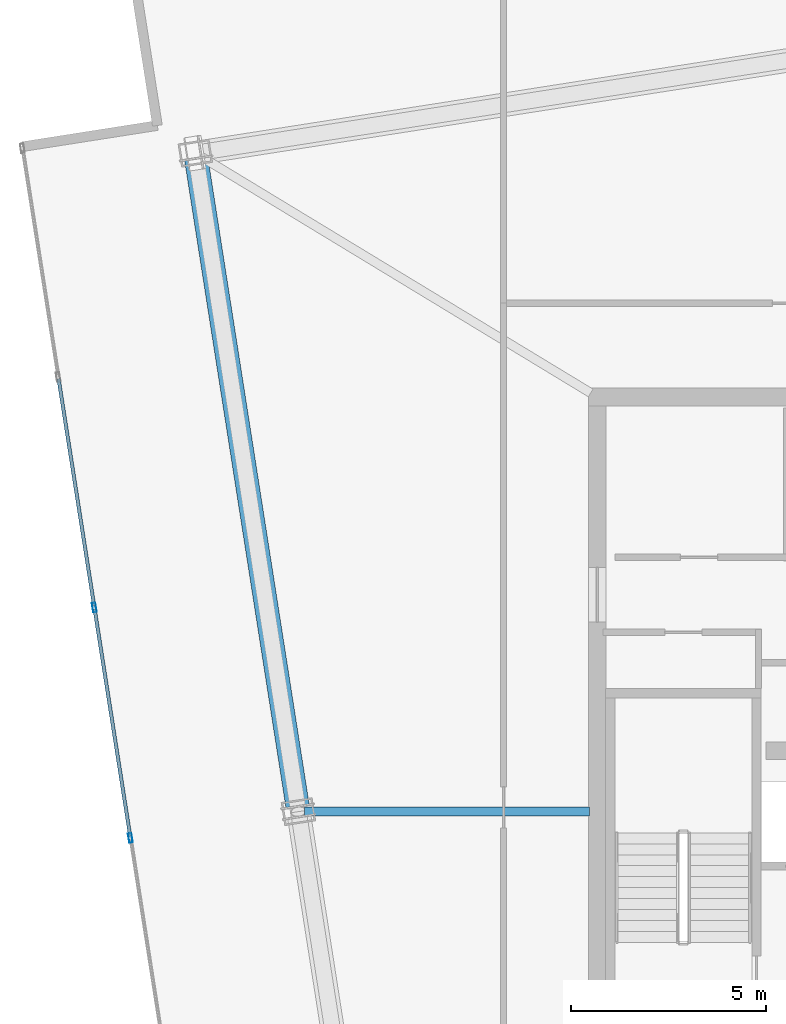
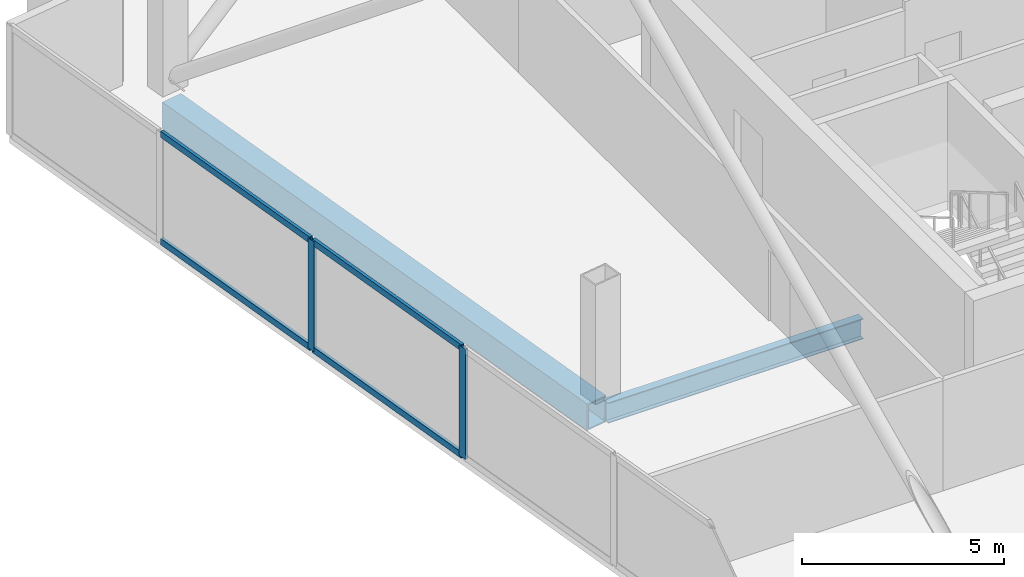
# One storey, part 6 of 21: 6 members, 2 beams, 1 element without a shape of its own.
"""IFC4 building model written with IfcOpenShell, lengths in metres."""

from ifc_helpers import new_model, si_unit, direction, frame, origin, origin_2d, place, context, subcontext, project, spatial, hollow_rectangle, i_section, extrude, material, material_profile, profile_set, type_object, element, aggregate, save


model = new_model("IFC4")

# Units and contexts
model_context = context("Model", 3, precision=1e-05, world=origin(), true_north=direction((0.0, 1.0)))
body_context = subcontext(model_context, "Body", "Model", "MODEL_VIEW")
ifc_project = project(units=[si_unit("LENGTHUNIT", "METRE"), si_unit("AREAUNIT", "SQUARE_METRE"), si_unit("VOLUMEUNIT", "CUBIC_METRE"), si_unit("PLANEANGLEUNIT", "RADIAN"), si_unit("MASSUNIT", "GRAM", prefix="KILO")], contexts=[model_context])

# Site, building, storey
site_placement = place(None, origin())
site = spatial("IfcSite", under=ifc_project, at=site_placement, CompositionType="ELEMENT")
building_placement = place(site_placement, origin())
building = spatial("IfcBuilding", under=site, at=building_placement, Name="Haldenkirk Collegiate Tower", CompositionType="ELEMENT")
storey_placement = place(building_placement, frame((0.0, 0.0, 360.60009765625)))
storey = spatial("IfcBuildingStorey", under=building, at=storey_placement, Name="L91", CompositionType="ELEMENT", Elevation=360.60009765625)

# Beams
ifc_material_1 = material(Name="Steel ASTM A992 Grade 50", Category="steel")
ifc_material_profile_1 = material_profile(ifc_material_1, i_section(OverallWidth=0.22998046875, OverallDepth=0.616943359375, WebThickness=0.01318359375, FlangeThickness=0.022216796875, at=origin_2d()), Name="W24X94")
ifc_profile_set_1 = profile_set([ifc_material_profile_1], Name="Steel ASTM A992 Grade 50")
beam_type_1 = type_object("IfcBeamType", Name="BM-GIRDER-W24X94", PredefinedType="BEAM", material=ifc_profile_set_1)
beam_1_placement = place(storey_placement, frame((19.5029296875, 23.39306640625, -0.57861328125), z_axis=(1.0, 0.0, 0.0), x_axis=(0.0, 1.0, 0.0)))
element("IfcBeam", 1, at=beam_1_placement, inside=storey, type_object=beam_type_1, Name="L91 crown radial floor beam 6", PredefinedType="BEAM", context=body_context, shape_type="SweptSolid", body=[
    extrude(i_section(OverallWidth=0.22998046875, OverallDepth=0.616943359375, WebThickness=0.01318359375, FlangeThickness=0.022216796875, at=origin_2d()), origin(), (0.0, 0.0, 1.0), 7.297119140625),
])
ifc_material_2 = material(Name="Steel ASTM A572 Grade 50", Category="steel")
ifc_material_profile_2 = material_profile(ifc_material_2, hollow_rectangle(XDim=0.60009765625, YDim=0.800048828125, WallThickness=0.0400390625, at=origin_2d()), Name="BOX800X600X40")
ifc_profile_set_2 = profile_set([ifc_material_profile_2], Name="Steel ASTM A572 Grade 50")
beam_type_2 = type_object("IfcBeamType", Name="BM-SPANDREL-BOX800X600X40", PredefinedType="SPANDREL", material=ifc_profile_set_2)
beam_2_placement = place(storey_placement, frame((16.73828125, 40.089599609375, -0.670166015625), z_axis=(0.154705009471, -0.987960707743, 0.0), x_axis=(0.987960707743, 0.154705009471, 0.0)))
element("IfcBeam", 2, at=beam_2_placement, inside=storey, type_object=beam_type_2, Name="L91 Crown Ring Frame perimeter girder 5", PredefinedType="SPANDREL", context=body_context, shape_type="SweptSolid", body=[
    extrude(hollow_rectangle(XDim=0.60009765625, YDim=0.800048828125, WallThickness=0.0400390625, at=origin_2d()), origin(), (0.0, 0.0, 1.0), 16.75),
])

# Curtain wall, members
ifc_material_3 = material(Name="Anodised architectural bronze aluminium", Category="aluminium")
curtain_wall_type = type_object("IfcCurtainWallType", Name="CW-SYS6-CROWN", PredefinedType="USERDEFINED", material=ifc_material_3)
curtain_wall_placement = place(storey_placement, origin())
curtain_wall = element("IfcCurtainWall", 3, at=curtain_wall_placement, inside=storey, type_object=curtain_wall_type, Name="L91 Closed crown ring ceramic-fritted bronze screen curtain wall", ObjectType="UNITISED CURTAIN WALL", PredefinedType="USERDEFINED")
ifc_material_profile_3 = material_profile(ifc_material_3, hollow_rectangle(XDim=0.090087890625, YDim=0.239990234375, WallThickness=0.0048828125, at=origin_2d()), Name="CW-MUL-06")
ifc_profile_set_3 = profile_set([ifc_material_profile_3], Name="Anodised architectural bronze aluminium")
member_type_1 = type_object("IfcMemberType", Name="CW-MUL-06", PredefinedType="MULLION", material=ifc_profile_set_3)
member_1_placement = place(storey_placement, frame((15.05517578125, 22.72021484375, 0.0), z_axis=(0.0, 0.0, 1.0), x_axis=(-0.987959532462, -0.154712514742, 0.0)))
member_1 = element("IfcMember", 4, at=member_1_placement, type_object=member_type_1, Name="CW-06 mullion 4", PredefinedType="MULLION", context=body_context, shape_type="SweptSolid", body=[
    extrude(hollow_rectangle(XDim=0.090087890625, YDim=0.239990234375, WallThickness=0.0048828125, at=origin_2d()), origin(), (0.0, 0.0, 1.0), 3.329833984375),
])
member_2_placement = place(storey_placement, frame((14.132080078125, 28.614990234375, 0.0), z_axis=(0.0, 0.0, 1.0), x_axis=(-0.987959532462, -0.154712514742, 0.0)))
member_2 = element("IfcMember", 5, at=member_2_placement, type_object=member_type_1, Name="CW-06 mullion 5", PredefinedType="MULLION", context=body_context, shape_type="SweptSolid", body=[
    extrude(hollow_rectangle(XDim=0.090087890625, YDim=0.239990234375, WallThickness=0.0048828125, at=origin_2d()), origin(), (0.0, 0.0, 1.0), 3.329833984375),
])
ifc_material_profile_4 = material_profile(ifc_material_3, hollow_rectangle(XDim=0.090087890625, YDim=0.18994140625, WallThickness=0.0048828125, at=origin_2d()), Name="CW-TRN-06")
ifc_profile_set_4 = profile_set([ifc_material_profile_4], Name="Anodised architectural bronze aluminium")
member_type_2 = type_object("IfcMemberType", Name="CW-TRN-06", PredefinedType="USERDEFINED", material=ifc_profile_set_4)
member_3_placement = place(storey_placement, frame((15.04833984375, 22.7646484375, 0.044921875), z_axis=(-0.154710174658, 0.987959898912, 0.0), x_axis=(-0.987959898912, -0.154710174658, 0.0)))
member_3 = element("IfcMember", 6, at=member_3_placement, type_object=member_type_2, Name="CW-06 transom 4.1", ObjectType="TRANSOM", PredefinedType="USERDEFINED", context=body_context, shape_type="SweptSolid", body=[
    extrude(hollow_rectangle(XDim=0.090087890625, YDim=0.18994140625, WallThickness=0.0048828125, at=origin_2d()), origin(), (0.0, 0.0, 1.0), 5.876708984375),
])
member_4_placement = place(storey_placement, frame((15.04833984375, 22.7646484375, 3.284912109375), z_axis=(-0.154710174658, 0.987959898912, 0.0), x_axis=(-0.987959898912, -0.154710174658, 0.0)))
member_4 = element("IfcMember", 7, at=member_4_placement, type_object=member_type_2, Name="CW-06 transom 4.2", ObjectType="TRANSOM", PredefinedType="USERDEFINED", context=body_context, shape_type="SweptSolid", body=[
    extrude(hollow_rectangle(XDim=0.090087890625, YDim=0.18994140625, WallThickness=0.0048828125, at=origin_2d()), origin(), (0.0, 0.0, 1.0), 5.876708984375),
])
member_5_placement = place(storey_placement, frame((14.125244140625, 28.659423828125, 0.044921875), z_axis=(-0.154710174658, 0.987959898912, 0.0), x_axis=(-0.987959898912, -0.154710174658, 0.0)))
member_5 = element("IfcMember", 8, at=member_5_placement, type_object=member_type_2, Name="CW-06 transom 5.1", ObjectType="TRANSOM", PredefinedType="USERDEFINED", context=body_context, shape_type="SweptSolid", body=[
    extrude(hollow_rectangle(XDim=0.090087890625, YDim=0.18994140625, WallThickness=0.0048828125, at=origin_2d()), origin(), (0.0, 0.0, 1.0), 5.876708984375),
])
member_6_placement = place(storey_placement, frame((14.125244140625, 28.659423828125, 3.284912109375), z_axis=(-0.154710174658, 0.987959898912, 0.0), x_axis=(-0.987959898912, -0.154710174658, 0.0)))
member_6 = element("IfcMember", 9, at=member_6_placement, type_object=member_type_2, Name="CW-06 transom 5.2", ObjectType="TRANSOM", PredefinedType="USERDEFINED", context=body_context, shape_type="SweptSolid", body=[
    extrude(hollow_rectangle(XDim=0.090087890625, YDim=0.18994140625, WallThickness=0.0048828125, at=origin_2d()), origin(), (0.0, 0.0, 1.0), 5.876708984375),
])
aggregate(curtain_wall, [member_1, member_2, member_3, member_4, member_5, member_6])

save(model, "model.ifc")
